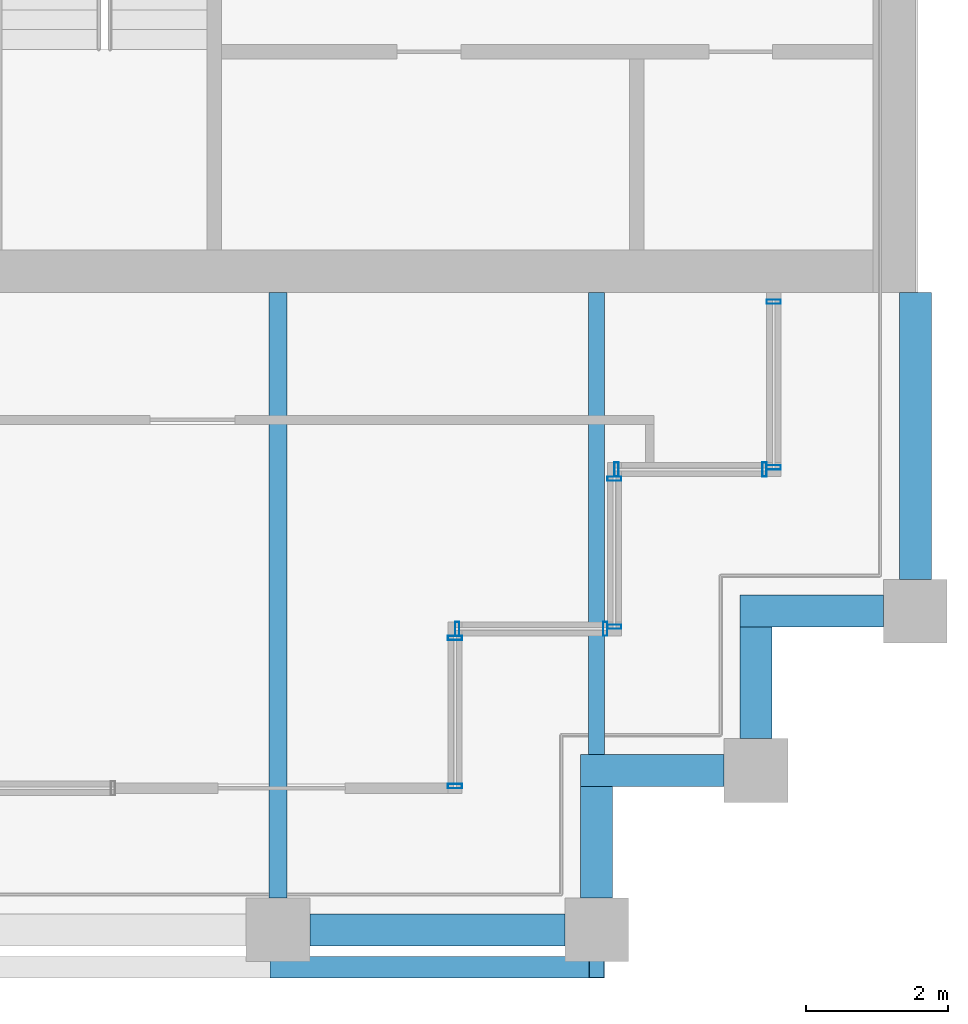
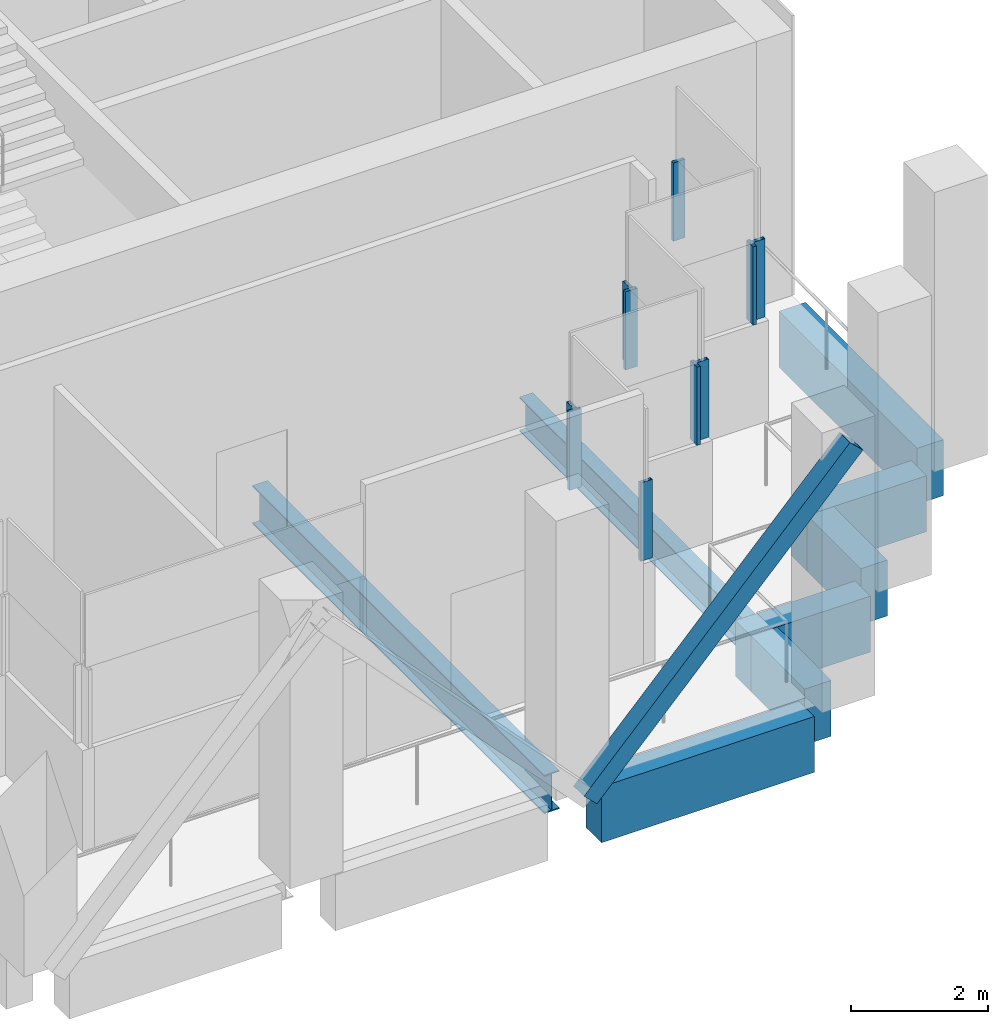
# One storey, part 23 of 34: 11 members, 8 beams, 5 elements without a shape of their own.
"""IFC4 building model written with IfcOpenShell, lengths in metres."""

import ifcopenshell
import ifcopenshell.guid

model = None  # the IFC model being written
_history = None  # IfcOwnerHistory: only IFC2X3 demands one
_inside = {}  # id of a spatial element -> (the spatial element, [elements in it])
_under = {}  # id of a project, library or spatial element -> (it, [spatial elements below it])
_declared = {}  # id of a project -> (the project, [libraries it declares])
_typed = {}  # id of a type object -> (the type object, [elements of that type])
_made_of = {}  # id of a material, layer set ... -> (it, [elements and type objects made of it])


def new_model(schema):
    """Start an empty IFC model of exactly this schema.

    Asked for "IFC4X3", IfcOpenShell would pick the latest addendum, in which some entities
    have other attributes; the version numbers below select the first issue.
    IFC2X3 requires an IfcOwnerHistory on every rooted entity: one is made here for all.
    """
    global model, _history
    if schema == "IFC4X3":
        model = ifcopenshell.file(schema_version=(4, 3, 0, 0))
    else:
        model = ifcopenshell.file(schema=schema)
    _inside.clear()
    _under.clear()
    _declared.clear()
    _typed.clear()
    _made_of.clear()
    _history = None
    if model.schema == "IFC2X3":
        org = make("IfcOrganization", Name="unknown")
        user = make(
            "IfcPersonAndOrganization",
            ThePerson=make("IfcPerson", FamilyName="unknown"),
            TheOrganization=org,
        )
        app = make(
            "IfcApplication",
            ApplicationDeveloper=org,
            Version="unknown",
            ApplicationFullName="unknown",
            ApplicationIdentifier="unknown",
        )
        _history = make(
            "IfcOwnerHistory",
            OwningUser=user,
            OwningApplication=app,
            ChangeAction="ADDED",
            CreationDate=0,
        )
    return model


def make(cls, **values):
    """One entity of the class cls with the attributes given. An attribute that is None is left unset."""
    return model.create_entity(
        cls, **{name: value for name, value in values.items() if value is not None}
    )


def rooted(cls, **values):
    """An entity with a GlobalId (a new one), such as an element, a storey or a relation."""
    return make(cls, GlobalId=ifcopenshell.guid.new(), OwnerHistory=_history, **values)


def si_unit(unit_type, name, prefix=None):
    """IfcSIUnit, for example si_unit("LENGTHUNIT", "METRE", prefix="MILLI")."""
    return make("IfcSIUnit", UnitType=unit_type, Prefix=prefix, Name=name)


def assignment(units):
    """IfcUnitAssignment: the units of a project."""
    return None if units is None else make("IfcUnitAssignment", Units=units)


def point(xyz):
    """IfcCartesianPoint."""
    return None if xyz is None else make("IfcCartesianPoint", Coordinates=xyz)


def direction(xyz):
    """IfcDirection."""
    return None if xyz is None else make("IfcDirection", DirectionRatios=xyz)


def frame(location, z_axis=None, x_axis=None):
    """IfcAxis2Placement3D, a coordinate frame: its origin and axes. An axis left out is left unset."""
    return make(
        "IfcAxis2Placement3D",
        Location=point(location),
        Axis=direction(z_axis),
        RefDirection=direction(x_axis),
    )


def frame_2d(location, x_axis=None):
    """IfcAxis2Placement2D, a coordinate frame in the plane: its origin and x axis."""
    return make(
        "IfcAxis2Placement2D", Location=point(location), RefDirection=direction(x_axis)
    )


def origin():
    """The frame at (0, 0, 0) with its axes left unset."""
    return frame((0.0, 0.0, 0.0))


def origin_2d():
    """The frame at (0, 0) in the plane with its x axis left unset."""
    return frame_2d((0.0, 0.0))


def place(relative_to, where):
    """IfcLocalPlacement: puts the frame where relative to a parent placement (None: the world)."""
    return make(
        "IfcLocalPlacement", PlacementRelTo=relative_to, RelativePlacement=where
    )


def context(
    kind, dimensions, precision=None, world=None, true_north=None, identifier=None
):
    """IfcGeometricRepresentationContext, for example the 3D "Model" context."""
    return make(
        "IfcGeometricRepresentationContext",
        ContextIdentifier=identifier,
        ContextType=kind,
        CoordinateSpaceDimension=dimensions,
        Precision=precision,
        WorldCoordinateSystem=world,
        TrueNorth=true_north,
    )


def subcontext(parent, identifier, kind, view, scale=None):
    """IfcGeometricRepresentationSubContext, for example "Body" below "Model"."""
    return make(
        "IfcGeometricRepresentationSubContext",
        ContextIdentifier=identifier,
        ContextType=kind,
        ParentContext=parent,
        TargetScale=scale,
        TargetView=view,
    )


def project(units=None, contexts=None):
    """IfcProject with its units and contexts."""
    return rooted(
        "IfcProject",
        Name="project",
        RepresentationContexts=contexts,
        UnitsInContext=assignment(units),
    )


def spatial(cls, under=None, at=None, **own):
    """A site, building, storey or space (cls), placed at a placement, below another one or the project."""
    s = rooted(cls, ObjectPlacement=at, **own)
    if under is not None:
        _under.setdefault(under.id(), (under, []))[1].append(s)
    return s


def profile(cls, at=None, kind="AREA", **sizes):
    """A parametric profile (cls). Its sizes go by their IFC names, for example OverallWidth=200.0."""
    return make(cls, ProfileType=kind, Position=at, **sizes)


def rectangle(**sizes):
    """IfcRectangleProfileDef."""
    return profile("IfcRectangleProfileDef", **sizes)


def hollow_rectangle(**sizes):
    """IfcRectangleHollowProfileDef."""
    return profile("IfcRectangleHollowProfileDef", **sizes)


def i_section(**sizes):
    """IfcIShapeProfileDef."""
    return profile("IfcIShapeProfileDef", **sizes)


def extrude(swept, where, along, depth):
    """IfcExtrudedAreaSolid: the profile swept, set in the frame where, extruded along a direction by depth."""
    return make(
        "IfcExtrudedAreaSolid",
        SweptArea=swept,
        Position=where,
        ExtrudedDirection=direction(along),
        Depth=depth,
    )


def shape(context_of_items, identifier, shape_type, items):
    """IfcShapeRepresentation: the items that make up one representation, for example the "Body"."""
    return make(
        "IfcShapeRepresentation",
        ContextOfItems=context_of_items,
        RepresentationIdentifier=identifier,
        RepresentationType=shape_type,
        Items=items,
    )


def material(Name=None, Category=None):
    """IfcMaterial."""
    return make("IfcMaterial", Name=Name, Category=Category)


def material_profile(
    of_material, cross_section, Name=None, Category=None, Priority=None
):
    """IfcMaterialProfile: a cross section and its material."""
    return make(
        "IfcMaterialProfile",
        Name=Name,
        Material=of_material,
        Profile=cross_section,
        Priority=Priority,
        Category=Category,
    )


def profile_set(profiles, Name=None, composite=None):
    """IfcMaterialProfileSet."""
    return make(
        "IfcMaterialProfileSet",
        Name=Name,
        MaterialProfiles=profiles,
        CompositeProfile=composite,
    )


def made_of(thing, what):
    """Note that an element or type object is made of a material, layer set ...; save() writes the relation."""
    if what is not None:
        _made_of.setdefault(what.id(), (what, []))[1].append(thing)
    return thing


def type_object(cls, material=None, **own):
    """A type object (cls), such as IfcWallType, which elements share."""
    return made_of(rooted(cls, **own), material)


def element(
    cls,
    number,
    at=None,
    inside=None,
    cuts=None,
    type_object=None,
    material=None,
    context=None,
    identifier="Body",
    shape_type=None,
    held_by="IfcProductDefinitionShape",
    body=None,
    shapes=None,
    **own,
):
    """One element of the class cls, such as IfcWall. Its Tag is "e" and its number.

    at: its placement. inside: the storey or other place that contains it. cuts: it is an
    opening in that element (IfcRelVoidsElement). A single representation is given by context,
    identifier, shape_type and body (its items); several are given by shapes. held_by: the class
    of the entity that holds the representations. save() writes the other relations.
    """
    e = rooted(cls, Tag="e%d" % number, ObjectPlacement=at, **own)
    if body is not None:
        shapes = [shape(context, identifier, shape_type, body)]
    if shapes is not None:
        e.Representation = make(held_by, Representations=shapes)
    if inside is not None:
        _inside.setdefault(inside.id(), (inside, []))[1].append(e)
    if cuts is not None:
        rooted(
            "IfcRelVoidsElement", RelatingBuildingElement=cuts, RelatedOpeningElement=e
        )
    if type_object is not None:
        _typed.setdefault(type_object.id(), (type_object, []))[1].append(e)
    return made_of(e, material)


def aggregate(whole, parts):
    """IfcRelAggregates: a whole, such as a stair, and the parts it consists of."""
    return rooted("IfcRelAggregates", RelatingObject=whole, RelatedObjects=parts)


def save(model, path):
    """Write the relations noted so far, then the file.

    IfcRelAggregates (storeys below a building ...), IfcRelContainedInSpatialStructure (elements
    in a storey), IfcRelDefinesByType, IfcRelAssociatesMaterial and IfcRelDeclares: one each for
    every whole, place, type object, material and project.
    """
    for whole, parts in _under.values():
        aggregate(whole, parts)
    for where, things in _inside.values():
        rooted(
            "IfcRelContainedInSpatialStructure",
            RelatedElements=things,
            RelatingStructure=where,
        )
    for kind, things in _typed.values():
        rooted("IfcRelDefinesByType", RelatedObjects=things, RelatingType=kind)
    for what, things in _made_of.values():
        rooted("IfcRelAssociatesMaterial", RelatedObjects=things, RelatingMaterial=what)
    for by, libraries in _declared.values():
        rooted("IfcRelDeclares", RelatingContext=by, RelatedDefinitions=libraries)
    model.write(path)


model = new_model("IFC4")

# Units and contexts
model_context = context("Model", 3, precision=1e-05, world=origin(), true_north=direction((0.0, 1.0)))
body_context = subcontext(model_context, "Body", "Model", "MODEL_VIEW")
ifc_project = project(units=[si_unit("LENGTHUNIT", "METRE"), si_unit("AREAUNIT", "SQUARE_METRE"), si_unit("VOLUMEUNIT", "CUBIC_METRE"), si_unit("PLANEANGLEUNIT", "RADIAN"), si_unit("MASSUNIT", "GRAM", prefix="KILO")], contexts=[model_context])

# Site, building, storey
site_placement = place(None, origin())
site = spatial("IfcSite", under=ifc_project, at=site_placement, CompositionType="ELEMENT")
building_placement = place(site_placement, origin())
building = spatial("IfcBuilding", under=site, at=building_placement, Name="Altepetl Exchange Towers", CompositionType="ELEMENT")
storey_placement = place(building_placement, frame((0.0, 0.0, 190.60009765625)))
storey = spatial("IfcBuildingStorey", under=building, at=storey_placement, Name="L48 Refuge", CompositionType="ELEMENT", Elevation=190.60009765625)

# Member
ifc_material_1 = material(Name="Steel S355", Category="steel")
ifc_material_profile_1 = material_profile(ifc_material_1, hollow_rectangle(XDim=0.304931640625, YDim=0.304931640625, WallThickness=0.01171875, at=origin_2d()), Name="HSS305X305X12.7")
ifc_profile_set_1 = profile_set([ifc_material_profile_1], Name="Steel S355")
member_type_1 = type_object("IfcMemberType", Name="Belt diagonal HSS305X305X12.7", PredefinedType="BRACE", material=ifc_profile_set_1)
member_1_placement = place(storey_placement, frame((108.0, 26.469970703125, 0.0), z_axis=(0.687744647911, 0.0, 0.725952683906), x_axis=(0.0, 1.0, 0.0)))
element("IfcMember", 1, at=member_1_placement, inside=storey, type_object=member_type_1, Name="brc:B:L48:002", PredefinedType="BRACE", context=body_context, shape_type="SweptSolid", body=[
    extrude(hollow_rectangle(XDim=0.304931640625, YDim=0.304931640625, WallThickness=0.01171875, at=origin_2d()), origin(), (0.0, 0.0, 1.0), 6.543212890625),
])

# Beams
ifc_material_profile_2 = material_profile(ifc_material_1, i_section(OverallWidth=0.22802734375, OverallDepth=0.60791015625, WebThickness=0.01123046875, FlangeThickness=0.017333984375, at=origin_2d()), Name="W24X76")
ifc_profile_set_2 = profile_set([ifc_material_profile_2], Name="Steel S355")
beam_type_1 = type_object("IfcBeamType", Name="Floor beam W24X76", PredefinedType="BEAM", material=ifc_profile_set_2)
beam_1_placement = place(storey_placement, frame((112.5, 29.47509765625, -0.504150390625), z_axis=(0.0, 1.0, 0.0), x_axis=(-1.0, 0.0, 0.0)))
element("IfcBeam", 2, at=beam_1_placement, inside=storey, type_object=beam_type_1, Name="bm:B:L48:003", PredefinedType="BEAM", context=body_context, shape_type="SweptSolid", body=[
    extrude(i_section(OverallWidth=0.22802734375, OverallDepth=0.60791015625, WebThickness=0.01123046875, FlangeThickness=0.017333984375, at=origin_2d()), origin(), (0.0, 0.0, 1.0), 6.52490234375),
])
ifc_material_profile_3 = material_profile(ifc_material_1, i_section(OverallWidth=0.25390625, OverallDepth=0.68798828125, WebThickness=0.01318359375, FlangeThickness=0.02099609375, at=origin_2d()), Name="W27X102")
ifc_profile_set_3 = profile_set([ifc_material_profile_3], Name="Steel S355")
beam_type_2 = type_object("IfcBeamType", Name="Floor beam W27X102", PredefinedType="BEAM", material=ifc_profile_set_3)
beam_2_placement = place(storey_placement, frame((108.0, 27.449951171875, -0.544189453125), z_axis=(0.0, 1.0, 0.0), x_axis=(-1.0, 0.0, 0.0)))
element("IfcBeam", 3, at=beam_2_placement, inside=storey, type_object=beam_type_2, Name="bm:B:L48:002", PredefinedType="BEAM", context=body_context, shape_type="SweptSolid", body=[
    extrude(i_section(OverallWidth=0.25390625, OverallDepth=0.68798828125, WebThickness=0.01318359375, FlangeThickness=0.02099609375, at=origin_2d()), origin(), (0.0, 0.0, 1.0), 8.550048828125),
])

# Curtain wall, members
ifc_material_2 = material(Name="Aluminium 6063-T6 glazing", Category="aluminium")
curtain_wall_type = type_object("IfcCurtainWallType", Name="Refuge slit glazing system", PredefinedType="NOTDEFINED", material=ifc_material_2)
curtain_wall_1_placement = place(storey_placement, origin())
curtain_wall_1 = element("IfcCurtainWall", 4, at=curtain_wall_1_placement, inside=storey, type_object=curtain_wall_type, Name="CW3 run", PredefinedType="NOTDEFINED")
ifc_material_3 = material(Name="Aluminium 6063-T6", Category="aluminium")
ifc_material_profile_4 = material_profile(ifc_material_3, hollow_rectangle(XDim=0.06005859375, YDim=0.199951171875, WallThickness=0.0029296875, at=origin_2d()), Name="Mullion 60x200 aluminium")
ifc_profile_set_4 = profile_set([ifc_material_profile_4], Name="Aluminium 6063-T6")
member_type_2 = type_object("IfcMemberType", Name="Mullion 60x200 aluminium", PredefinedType="MULLION", material=ifc_profile_set_4)
member_2_placement = place(storey_placement, frame((110.5, 29.030029296875, 1.7998046875), z_axis=(0.0, 0.0, 1.0), x_axis=(0.0, 1.0, 0.0)))
member_2 = element("IfcMember", 5, at=member_2_placement, type_object=member_type_2, Name="MU2 mullion", PredefinedType="MULLION", context=body_context, shape_type="SweptSolid", body=[
    extrude(hollow_rectangle(XDim=0.06005859375, YDim=0.199951171875, WallThickness=0.0029296875, at=origin_2d()), origin(), (0.0, 0.0, 1.0), 1.400146484375),
])
member_3_placement = place(storey_placement, frame((110.5, 31.1201171875, 1.7998046875), z_axis=(0.0, 0.0, 1.0), x_axis=(0.0, 1.0, 0.0)))
member_3 = element("IfcMember", 6, at=member_3_placement, type_object=member_type_2, Name="MU2 mullion", PredefinedType="MULLION", context=body_context, shape_type="SweptSolid", body=[
    extrude(hollow_rectangle(XDim=0.06005859375, YDim=0.199951171875, WallThickness=0.0029296875, at=origin_2d()), origin(), (0.0, 0.0, 1.0), 1.400146484375),
])
aggregate(curtain_wall_1, [member_2, member_3])

curtain_wall_2_placement = place(storey_placement, origin())
curtain_wall_2 = element("IfcCurtainWall", 7, at=curtain_wall_2_placement, inside=storey, type_object=curtain_wall_type, Name="CW3 run", PredefinedType="NOTDEFINED")
member_4_placement = place(storey_placement, frame((110.530029296875, 31.25, 1.7998046875)))
member_4 = element("IfcMember", 8, at=member_4_placement, type_object=member_type_2, Name="MU2 mullion", PredefinedType="MULLION", context=body_context, shape_type="SweptSolid", body=[
    extrude(hollow_rectangle(XDim=0.06005859375, YDim=0.199951171875, WallThickness=0.0029296875, at=origin_2d()), origin(), (0.0, 0.0, 1.0), 1.400146484375),
])
member_5_placement = place(storey_placement, frame((112.6201171875, 31.25, 1.7998046875)))
member_5 = element("IfcMember", 9, at=member_5_placement, type_object=member_type_2, Name="MU2 mullion", PredefinedType="MULLION", context=body_context, shape_type="SweptSolid", body=[
    extrude(hollow_rectangle(XDim=0.06005859375, YDim=0.199951171875, WallThickness=0.0029296875, at=origin_2d()), origin(), (0.0, 0.0, 1.0), 1.400146484375),
])
aggregate(curtain_wall_2, [member_4, member_5])

curtain_wall_3_placement = place(storey_placement, origin())
curtain_wall_3 = element("IfcCurtainWall", 10, at=curtain_wall_3_placement, inside=storey, type_object=curtain_wall_type, Name="CW3 run", PredefinedType="NOTDEFINED")
member_6_placement = place(storey_placement, frame((112.75, 31.280029296875, 1.7998046875), z_axis=(0.0, 0.0, 1.0), x_axis=(0.0, 1.0, 0.0)))
member_6 = element("IfcMember", 11, at=member_6_placement, type_object=member_type_2, Name="MU2 mullion", PredefinedType="MULLION", context=body_context, shape_type="SweptSolid", body=[
    extrude(hollow_rectangle(XDim=0.06005859375, YDim=0.199951171875, WallThickness=0.0029296875, at=origin_2d()), origin(), (0.0, 0.0, 1.0), 1.400146484375),
])
member_7_placement = place(storey_placement, frame((112.75, 33.3701171875, 1.7998046875), z_axis=(0.0, 0.0, 1.0), x_axis=(0.0, 1.0, 0.0)))
member_7 = element("IfcMember", 12, at=member_7_placement, type_object=member_type_2, Name="MU2 mullion", PredefinedType="MULLION", context=body_context, shape_type="SweptSolid", body=[
    extrude(hollow_rectangle(XDim=0.06005859375, YDim=0.199951171875, WallThickness=0.0029296875, at=origin_2d()), origin(), (0.0, 0.0, 1.0), 1.400146484375),
])
aggregate(curtain_wall_3, [member_6, member_7])

curtain_wall_4_placement = place(storey_placement, origin())
curtain_wall_4 = element("IfcCurtainWall", 13, at=curtain_wall_4_placement, inside=storey, type_object=curtain_wall_type, Name="CW3 run", PredefinedType="NOTDEFINED")
member_8_placement = place(storey_placement, frame((112.780029296875, 33.5, 1.7998046875)))
member_8 = element("IfcMember", 14, at=member_8_placement, type_object=member_type_2, Name="MU2 mullion", PredefinedType="MULLION", context=body_context, shape_type="SweptSolid", body=[
    extrude(hollow_rectangle(XDim=0.06005859375, YDim=0.199951171875, WallThickness=0.0029296875, at=origin_2d()), origin(), (0.0, 0.0, 1.0), 1.400146484375),
])
member_9_placement = place(storey_placement, frame((114.8701171875, 33.5, 1.7998046875)))
member_9 = element("IfcMember", 15, at=member_9_placement, type_object=member_type_2, Name="MU2 mullion", PredefinedType="MULLION", context=body_context, shape_type="SweptSolid", body=[
    extrude(hollow_rectangle(XDim=0.06005859375, YDim=0.199951171875, WallThickness=0.0029296875, at=origin_2d()), origin(), (0.0, 0.0, 1.0), 1.400146484375),
])
aggregate(curtain_wall_4, [member_8, member_9])

curtain_wall_5_placement = place(storey_placement, origin())
curtain_wall_5 = element("IfcCurtainWall", 16, at=curtain_wall_5_placement, inside=storey, type_object=curtain_wall_type, Name="CW3 run", PredefinedType="NOTDEFINED")
member_10_placement = place(storey_placement, frame((115.0, 33.530029296875, 1.7998046875), z_axis=(0.0, 0.0, 1.0), x_axis=(0.0, 1.0, 0.0)))
member_10 = element("IfcMember", 17, at=member_10_placement, type_object=member_type_2, Name="MU2 mullion", PredefinedType="MULLION", context=body_context, shape_type="SweptSolid", body=[
    extrude(hollow_rectangle(XDim=0.06005859375, YDim=0.199951171875, WallThickness=0.0029296875, at=origin_2d()), origin(), (0.0, 0.0, 1.0), 1.400146484375),
])
member_11_placement = place(storey_placement, frame((115.0, 35.8701171875, 1.7998046875), z_axis=(0.0, 0.0, 1.0), x_axis=(0.0, 1.0, 0.0)))
member_11 = element("IfcMember", 18, at=member_11_placement, type_object=member_type_2, Name="MU2 mullion", PredefinedType="MULLION", context=body_context, shape_type="SweptSolid", body=[
    extrude(hollow_rectangle(XDim=0.06005859375, YDim=0.199951171875, WallThickness=0.0029296875, at=origin_2d()), origin(), (0.0, 0.0, 1.0), 1.400146484375),
])
aggregate(curtain_wall_5, [member_10, member_11])

# Beams
ifc_material_4 = material(Name="Concrete C50/60 precast with cantera blanca facing", Category="concrete")
ifc_material_profile_5 = material_profile(ifc_material_4, rectangle(XDim=0.449951171875, YDim=1.0, at=origin_2d()), Name="450 x 1000")
ifc_profile_set_5 = profile_set([ifc_material_profile_5], Name="Concrete C50/60 precast with cantera blanca facing")
beam_type_3 = type_object("IfcBeamType", Name="Spandrel beam 450x1000 cantera blanca", PredefinedType="SPANDREL", material=ifc_profile_set_5)
beam_3_placement = place(storey_placement, frame((117.0, 31.949951171875, -0.7001953125), z_axis=(0.0, 1.0, 0.0), x_axis=(-1.0, 0.0, 0.0)))
element("IfcBeam", 19, at=beam_3_placement, inside=storey, type_object=beam_type_3, Name="sp:B:L48:007", PredefinedType="SPANDREL", context=body_context, shape_type="SweptSolid", body=[
    extrude(rectangle(XDim=0.449951171875, YDim=1.0, at=origin_2d()), origin(), (0.0, 0.0, 1.0), 4.050048828125),
])
ifc_material_5 = material(Name="Concrete C50/60 precast with tezontle facing", Category="concrete")
ifc_material_profile_6 = material_profile(ifc_material_5, rectangle(XDim=0.449951171875, YDim=1.0, at=origin_2d()), Name="450 x 1000")
ifc_profile_set_6 = profile_set([ifc_material_profile_6], Name="Concrete C50/60 precast with tezontle facing")
beam_type_4 = type_object("IfcBeamType", Name="Spandrel beam 450x1000 tezontle", PredefinedType="SPANDREL", material=ifc_profile_set_6)
beam_4_placement = place(storey_placement, frame((108.449951171875, 27.0, -0.7001953125), z_axis=(1.0, 0.0, 0.0), x_axis=(0.0, 1.0, 0.0)))
element("IfcBeam", 20, at=beam_4_placement, inside=storey, type_object=beam_type_4, Name="sp:B:L48:002", PredefinedType="SPANDREL", context=body_context, shape_type="SweptSolid", body=[
    extrude(rectangle(XDim=0.449951171875, YDim=1.0, at=origin_2d()), origin(), (0.0, 0.0, 1.0), 3.60009765625),
])
beam_5_placement = place(storey_placement, frame((112.5, 27.449951171875, -0.7001953125), z_axis=(0.0, 1.0, 0.0), x_axis=(-1.0, 0.0, 0.0)))
element("IfcBeam", 21, at=beam_5_placement, inside=storey, type_object=beam_type_4, Name="sp:B:L48:003", PredefinedType="SPANDREL", context=body_context, shape_type="SweptSolid", body=[
    extrude(rectangle(XDim=0.449951171875, YDim=1.0, at=origin_2d()), origin(), (0.0, 0.0, 1.0), 1.574951171875),
])
beam_6_placement = place(storey_placement, frame((112.27490234375, 29.25, -0.7001953125), z_axis=(1.0, 0.0, 0.0), x_axis=(0.0, 1.0, 0.0)))
element("IfcBeam", 22, at=beam_6_placement, inside=storey, type_object=beam_type_4, Name="sp:B:L48:004", PredefinedType="SPANDREL", context=body_context, shape_type="SweptSolid", body=[
    extrude(rectangle(XDim=0.449951171875, YDim=1.0, at=origin_2d()), origin(), (0.0, 0.0, 1.0), 2.025146484375),
])
beam_7_placement = place(storey_placement, frame((114.75, 29.699951171875, -0.7001953125), z_axis=(0.0, 1.0, 0.0), x_axis=(-1.0, 0.0, 0.0)))
element("IfcBeam", 23, at=beam_7_placement, inside=storey, type_object=beam_type_4, Name="sp:B:L48:005", PredefinedType="SPANDREL", context=body_context, shape_type="SweptSolid", body=[
    extrude(rectangle(XDim=0.449951171875, YDim=1.0, at=origin_2d()), origin(), (0.0, 0.0, 1.0), 1.574951171875),
])
beam_8_placement = place(storey_placement, frame((114.52490234375, 31.5, -0.7001953125), z_axis=(1.0, 0.0, 0.0), x_axis=(0.0, 1.0, 0.0)))
element("IfcBeam", 24, at=beam_8_placement, inside=storey, type_object=beam_type_4, Name="sp:B:L48:006", PredefinedType="SPANDREL", context=body_context, shape_type="SweptSolid", body=[
    extrude(rectangle(XDim=0.449951171875, YDim=1.0, at=origin_2d()), origin(), (0.0, 0.0, 1.0), 2.025146484375),
])

save(model, "model.ifc")
